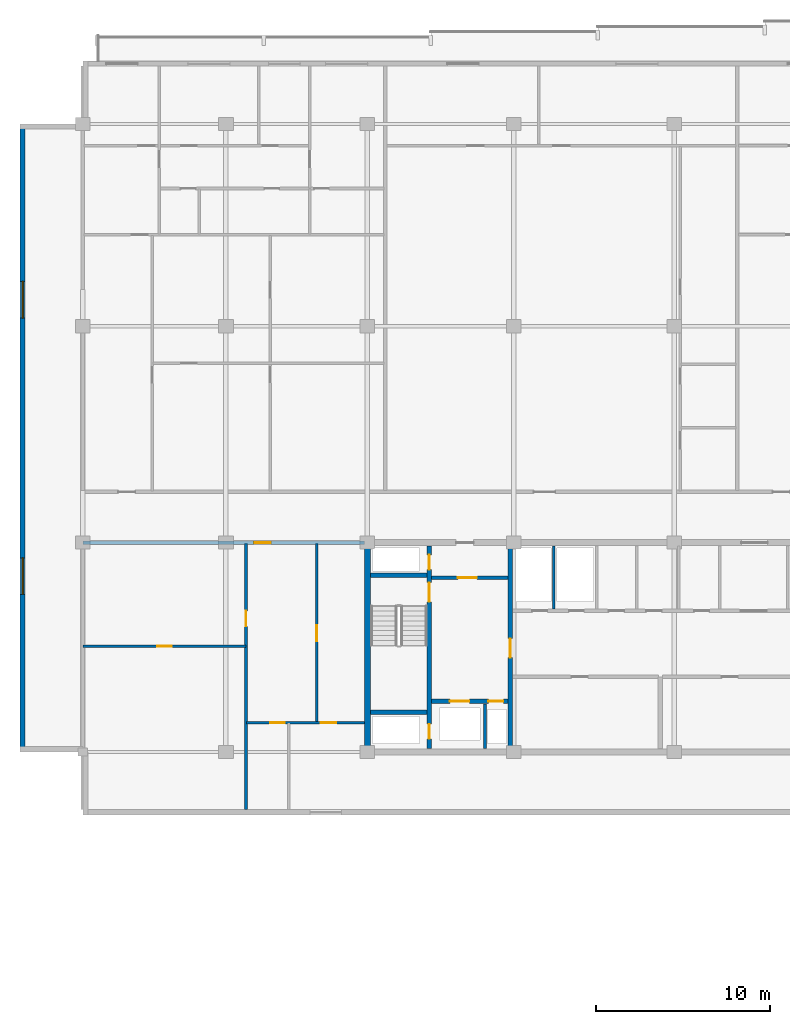
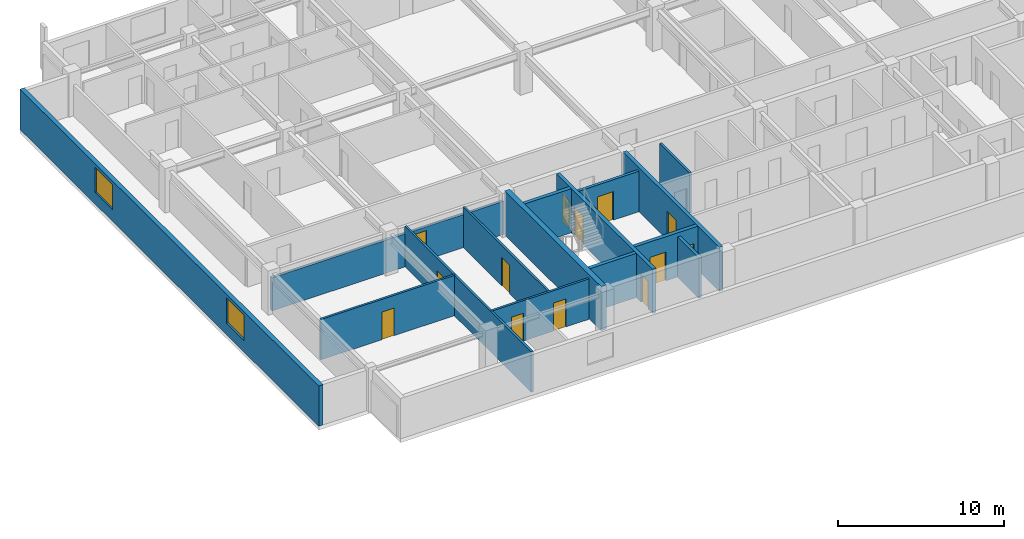
# One storey, part 3 of 11: 15 walls, 13 doors, 2 windows, 15 openings.
"""IFC4 building model written with IfcOpenShell, lengths in metres."""

from ifc_helpers import new_model, si_unit, direction, frame, frame_2d, origin, place, context, subcontext, project, spatial, rectangle, extrude, material, layer, layer_set, type_object, element, fill, save


model = new_model("IFC4")

# Units and contexts
model_context = context("Model", 3, precision=1e-05, world=origin(), true_north=direction((0.0, 1.0)))
body_context = subcontext(model_context, "Body", "Model", "MODEL_VIEW")
ifc_project = project(units=[si_unit("LENGTHUNIT", "METRE"), si_unit("AREAUNIT", "SQUARE_METRE"), si_unit("VOLUMEUNIT", "CUBIC_METRE"), si_unit("PLANEANGLEUNIT", "RADIAN"), si_unit("MASSUNIT", "GRAM", prefix="KILO")], contexts=[model_context])

# Site, building, storey
site_placement = place(None, origin())
site = spatial("IfcSite", under=ifc_project, at=site_placement, CompositionType="ELEMENT")
building_placement = place(site_placement, origin())
building = spatial("IfcBuilding", under=site, at=building_placement, Name="Korimba Cascade Residences", CompositionType="ELEMENT")
storey_placement = place(building_placement, frame((0.0, 0.0, 220.60009765625)))
storey = spatial("IfcBuildingStorey", under=building, at=storey_placement, Name="L64", CompositionType="ELEMENT", Elevation=220.60009765625)

# Wall, openings, windows
ifc_material_1 = material(Name="Precast concrete C40/50", Category="concrete")
ifc_layer_1 = layer(ifc_material_1, 0.300048828125)
ifc_layer_set_1 = layer_set([ifc_layer_1], Name="Precast concrete C40/50")
wall_type_1 = type_object("IfcWallType", Name="EW-STONE-300", PredefinedType="STANDARD", material=ifc_layer_set_1)
wall_1_placement = place(storey_placement, frame((56.35009765625, 91.199951171875, 0.0), z_axis=(0.0, 0.0, 1.0), x_axis=(0.0, -1.0, 0.0)))
wall_1 = element("IfcWall", 1, at=wall_1_placement, inside=storey, type_object=wall_type_1, Name="L64 T1 Perimeter Stone Wall E09", PredefinedType="STANDARD", context=body_context, shape_type="SweptSolid", body=[
    extrude(rectangle(XDim=36.0, YDim=0.300048828125, at=frame_2d((18.0, 0.0))), origin(), (0.0, 0.0, 1.0), 2.969970703125),
])
opening_1_placement = place(wall_1_placement, frame((9.030029296875, 0.0, 0.85009765625)))
opening_1 = element("IfcOpeningElement", 2, at=opening_1_placement, cuts=wall_1, Name="Opening W-03", PredefinedType="OPENING", context=body_context, shape_type="SweptSolid", body=[
    extrude(rectangle(XDim=2.10009765625, YDim=1.85009765625, at=frame_2d((1.050048828125, 0.925048828125))), frame((0.0, 0.16015625, 0.0), z_axis=(0.0, -1.0, 0.0), x_axis=(1.0, 0.0, 0.0)), (0.0, 0.0, 1.0), 0.320068359375),
])
opening_2_placement = place(wall_1_placement, frame((24.8701171875, 0.0, 0.85009765625)))
opening_2 = element("IfcOpeningElement", 3, at=opening_2_placement, cuts=wall_1, Name="Opening W-03", PredefinedType="OPENING", context=body_context, shape_type="SweptSolid", body=[
    extrude(rectangle(XDim=2.10009765625, YDim=1.85009765625, at=frame_2d((1.050048828125, 0.925048828125))), frame((0.0, 0.16015625, 0.0), z_axis=(0.0, -1.0, 0.0), x_axis=(1.0, 0.0, 0.0)), (0.0, 0.0, 1.0), 0.320068359375),
])
ifc_material_2 = material(Name="Double-Glazed Aluminium Window", Category="aluminium")
window_type = type_object("IfcWindowType", Name="WIN-CRN-2100", PartitioningType="DOUBLE_PANEL_HORIZONTAL", PredefinedType="WINDOW", material=ifc_material_2)
window_1_placement = place(opening_1_placement, origin())
window_1 = element("IfcWindow", 4, at=window_1_placement, inside=storey, type_object=window_type, Name="L64 T1 End View Window 9.1", OverallHeight=1.85009765625, OverallWidth=2.10009765625, PartitioningType="DOUBLE_PANEL_HORIZONTAL", PredefinedType="WINDOW", context=body_context, shape_type="SweptSolid", body=[
    extrude(rectangle(XDim=2.10009765625, YDim=1.85009765625, at=frame_2d((1.050048828125, 0.925048828125))), frame((0.0, 0.030029296875, 0.0), z_axis=(0.0, -1.0, 0.0), x_axis=(1.0, 0.0, 0.0)), (0.0, 0.0, 1.0), 0.06005859375),
])
fill(opening_1, window_1)
window_2_placement = place(opening_2_placement, origin())
window_2 = element("IfcWindow", 5, at=window_2_placement, inside=storey, type_object=window_type, Name="L64 T1 End View Window 9.2", OverallHeight=1.85009765625, OverallWidth=2.10009765625, PartitioningType="DOUBLE_PANEL_HORIZONTAL", PredefinedType="WINDOW", context=body_context, shape_type="SweptSolid", body=[
    extrude(rectangle(XDim=2.10009765625, YDim=1.85009765625, at=frame_2d((1.050048828125, 0.925048828125))), frame((0.0, 0.030029296875, 0.0), z_axis=(0.0, -1.0, 0.0), x_axis=(1.0, 0.0, 0.0)), (0.0, 0.0, 1.0), 0.06005859375),
])
fill(opening_2, window_2)

# Wall
ifc_material_3 = material(Name="Concrete C65/80", Category="concrete")
ifc_layer_2 = layer(ifc_material_3, 0.35009765625)
ifc_layer_set_2 = layer_set([ifc_layer_2], Name="Concrete C65/80")
wall_type_2 = type_object("IfcWallType", Name="WAL-CORE-350", PredefinedType="SHEAR", material=ifc_layer_set_2)
wall_2_placement = place(storey_placement, frame((76.125, 55.375, 0.0), z_axis=(0.0, 0.0, 1.0), x_axis=(0.0, 1.0, 0.0)))
element("IfcWall", 6, at=wall_2_placement, inside=storey, type_object=wall_type_2, Name="L64 Core Shear Wall CW-L64-T1-W", PredefinedType="SHEAR", context=body_context, shape_type="SweptSolid", body=[
    extrude(rectangle(XDim=11.64990234375, YDim=0.35009765625, at=frame_2d((5.824951171875, 0.0))), origin(), (0.0, 0.0, 1.0), 3.25),
])

# Wall, opening, door
ifc_layer_3 = layer(ifc_material_1, 0.199951171875)
ifc_layer_set_3 = layer_set([ifc_layer_3], Name="Precast concrete C40/50")
wall_type_3 = type_object("IfcWallType", Name="WAL-IT-200", PredefinedType="PARTITIONING", material=ifc_layer_set_3)
wall_3_placement = place(storey_placement, frame((59.800048828125, 67.199951171875, 0.0), z_axis=(0.0, 0.0, 1.0), x_axis=(1.0, 0.0, 0.0)))
wall_3 = element("IfcWall", 7, at=wall_3_placement, inside=storey, type_object=wall_type_3, Name="L64 Partition Wall WAL-L64-T1-FW-N", PredefinedType="PARTITIONING", context=body_context, shape_type="SweptSolid", body=[
    extrude(rectangle(XDim=16.14990234375, YDim=0.199951171875, at=frame_2d((8.074951171875, 0.0))), origin(), (0.0, 0.0, 1.0), 2.43310546875),
])
opening_3_placement = place(wall_3_placement, frame((9.823486328125, 0.0, 0.0)))
opening_3 = element("IfcOpeningElement", 8, at=opening_3_placement, cuts=wall_3, Name="Opening D-UN1", PredefinedType="OPENING", context=body_context, shape_type="SweptSolid", body=[
    extrude(rectangle(XDim=0.949951171875, YDim=2.14990234375, at=frame_2d((0.47509765625, 1.074951171875))), frame((0.0, 0.10986328125, 0.0), z_axis=(0.0, -1.0, 0.0), x_axis=(1.0, 0.0, 0.0)), (0.0, 0.0, 1.0), 0.219970703125),
])
ifc_material_4 = material(Name="Fire-Rated Hardwood Apartment Entrance Door", Category="wood")
door_type_1 = type_object("IfcDoorType", Name="DR-FD60-950", OperationType="NOTDEFINED", PredefinedType="DOOR", material=ifc_material_4)
door_1_placement = place(opening_3_placement, origin())
door_1 = element("IfcDoor", 9, at=door_1_placement, inside=storey, type_object=door_type_1, Name="L64-T1-FW Entrance Door", OperationType="SINGLE_SWING_RIGHT", OverallHeight=2.14990234375, OverallWidth=0.949951171875, PredefinedType="DOOR", context=body_context, shape_type="SweptSolid", body=[
    extrude(rectangle(XDim=0.949951171875, YDim=2.14990234375, at=frame_2d((0.47509765625, 1.074951171875))), frame((0.0, 0.02490234375, 0.0), z_axis=(0.0, -1.0, 0.0), x_axis=(1.0, 0.0, 0.0)), (0.0, 0.0, 1.0), 0.050048828125),
])
fill(opening_3, door_1)

# Wall
ifc_material_5 = material(Name="Insulated Acoustic Stud Partition", Category="gypsum")
ifc_layer_4 = layer(ifc_material_5, 0.14990234375)
ifc_layer_set_4 = layer_set([ifc_layer_4], Name="Insulated Acoustic Stud Partition")
wall_type_4 = type_object("IfcWallType", Name="WAL-PART-150", PredefinedType="PARTITIONING", material=ifc_layer_set_4)
wall_4_placement = place(storey_placement, frame((86.800048828125, 63.39990234375, 0.0), z_axis=(0.0, 0.0, 1.0), x_axis=(0.0, 1.0, 0.0)))
element("IfcWall", 10, at=wall_4_placement, inside=storey, type_object=wall_type_4, Name="L64 Partition Wall CW-L64-T1-ERDIV", PredefinedType="PARTITIONING", context=body_context, shape_type="SweptSolid", body=[
    extrude(rectangle(XDim=3.60009765625, YDim=0.14990234375, at=frame_2d((1.800048828125, 0.0))), origin(), (0.0, 0.0, 1.0), 2.969970703125),
])

# Wall, opening, door
wall_5_placement = place(storey_placement, frame((59.800048828125, 61.25, 0.0), z_axis=(0.0, 0.0, 1.0), x_axis=(1.0, 0.0, 0.0)))
wall_5 = element("IfcWall", 11, at=wall_5_placement, inside=storey, type_object=wall_type_4, Name="L64 Partition Wall WAL-L64-T1-FW-STH", PredefinedType="PARTITIONING", context=body_context, shape_type="SweptSolid", body=[
    extrude(rectangle(XDim=9.349853515625, YDim=0.14990234375, at=frame_2d((4.6748046875, 0.0))), origin(), (0.0, 0.0, 1.0), 2.969970703125),
])
opening_4_placement = place(wall_5_placement, frame((4.2548828125, 0.0, 0.0)))
opening_4 = element("IfcOpeningElement", 12, at=opening_4_placement, cuts=wall_5, Name="Opening D-BT1", PredefinedType="OPENING", context=body_context, shape_type="SweptSolid", body=[
    extrude(rectangle(XDim=0.840087890625, YDim=2.0400390625, at=frame_2d((0.419921875, 1.02001953125))), frame((0.0, 0.0849609375, 0.0), z_axis=(0.0, -1.0, 0.0), x_axis=(1.0, 0.0, 0.0)), (0.0, 0.0, 1.0), 0.169921875),
])
ifc_material_6 = material(Name="Moisture-Resistant Bathroom Timber Door", Category="wood")
door_type_2 = type_object("IfcDoorType", Name="DR-INT-850", OperationType="NOTDEFINED", PredefinedType="DOOR", material=ifc_material_6)
door_2_placement = place(opening_4_placement, origin())
door_2 = element("IfcDoor", 13, at=door_2_placement, inside=storey, type_object=door_type_2, Name="L64-T1-FW Dressing Store Door", OperationType="SINGLE_SWING_LEFT", OverallHeight=2.0400390625, OverallWidth=0.840087890625, PredefinedType="DOOR", context=body_context, shape_type="SweptSolid", body=[
    extrude(rectangle(XDim=0.840087890625, YDim=2.0400390625, at=frame_2d((0.419921875, 1.02001953125))), frame((0.0, 0.02490234375, 0.0), z_axis=(0.0, -1.0, 0.0), x_axis=(1.0, 0.0, 0.0)), (0.0, 0.0, 1.0), 0.050048828125),
])
fill(opening_4, door_2)

wall_6_placement = place(storey_placement, frame((69.14990234375, 51.89990234375, 0.0), z_axis=(0.0, 0.0, 1.0), x_axis=(0.0, 1.0, 0.0)))
wall_6 = element("IfcWall", 14, at=wall_6_placement, inside=storey, type_object=wall_type_4, Name="L64 Partition Wall WAL-L64-T1-FW-STV", PredefinedType="PARTITIONING", context=body_context, shape_type="SweptSolid", body=[
    extrude(rectangle(XDim=15.25, YDim=0.14990234375, at=frame_2d((7.625, 0.0))), origin(), (0.0, 0.0, 1.0), 2.969970703125),
])
opening_5_placement = place(wall_6_placement, frame((10.5, 0.0, 0.0)))
opening_5 = element("IfcOpeningElement", 15, at=opening_5_placement, cuts=wall_6, Name="Opening D-IN2", PredefinedType="OPENING", context=body_context, shape_type="SweptSolid", body=[
    extrude(rectangle(XDim=0.8798828125, YDim=2.06005859375, at=frame_2d((0.43994140625, 1.030029296875))), frame((0.0, 0.0849609375, 0.0), z_axis=(0.0, -1.0, 0.0), x_axis=(1.0, 0.0, 0.0)), (0.0, 0.0, 1.0), 0.169921875),
])
ifc_material_7 = material(Name="Acoustic Timber Bedroom Door", Category="wood")
door_type_3 = type_object("IfcDoorType", Name="DR-INT-880", OperationType="NOTDEFINED", PredefinedType="DOOR", material=ifc_material_7)
door_3_placement = place(opening_5_placement, origin())
door_3 = element("IfcDoor", 16, at=door_3_placement, inside=storey, type_object=door_type_3, Name="L64-T1-FW Study Door", OperationType="SINGLE_SWING_RIGHT", OverallHeight=2.06005859375, OverallWidth=0.8798828125, PredefinedType="DOOR", context=body_context, shape_type="SweptSolid", body=[
    extrude(rectangle(XDim=0.8798828125, YDim=2.06005859375, at=frame_2d((0.43994140625, 1.030029296875))), frame((0.0, 0.02490234375, 0.0), z_axis=(0.0, -1.0, 0.0), x_axis=(1.0, 0.0, 0.0)), (0.0, 0.0, 1.0), 0.050048828125),
])
fill(opening_5, door_3)

wall_7_placement = place(storey_placement, frame((73.199951171875, 56.8701171875, 0.0), z_axis=(0.0, 0.0, 1.0), x_axis=(0.0, 1.0, 0.0)))
wall_7 = element("IfcWall", 17, at=wall_7_placement, inside=storey, type_object=wall_type_4, Name="L64 Partition Wall WAL-L64-T1-FW-VN", PredefinedType="PARTITIONING", context=body_context, shape_type="SweptSolid", body=[
    extrude(rectangle(XDim=10.27978515625, YDim=0.14990234375, at=frame_2d((5.139892578125, 0.0))), origin(), (0.0, 0.0, 1.0), 2.969970703125),
])
opening_6_placement = place(wall_7_placement, frame((4.679931640625, 0.0, 0.0)))
opening_6 = element("IfcOpeningElement", 18, at=opening_6_placement, cuts=wall_7, Name="Opening D-IN1", PredefinedType="OPENING", context=body_context, shape_type="SweptSolid", body=[
    extrude(rectangle(XDim=0.919921875, YDim=2.080078125, at=frame_2d((0.4599609375, 1.0400390625))), frame((0.0, 0.0849609375, 0.0), z_axis=(0.0, -1.0, 0.0), x_axis=(1.0, 0.0, 0.0)), (0.0, 0.0, 1.0), 0.169921875),
])
ifc_material_8 = material(Name="Acoustic Timber Living Door", Category="wood")
door_type_4 = type_object("IfcDoorType", Name="DR-INT-920", OperationType="NOTDEFINED", PredefinedType="DOOR", material=ifc_material_8)
door_4_placement = place(opening_6_placement, origin())
door_4 = element("IfcDoor", 19, at=door_4_placement, inside=storey, type_object=door_type_4, Name="L64-T1-FW Living Door", OperationType="SINGLE_SWING_LEFT", OverallHeight=2.080078125, OverallWidth=0.919921875, PredefinedType="DOOR", context=body_context, shape_type="SweptSolid", body=[
    extrude(rectangle(XDim=0.919921875, YDim=2.080078125, at=frame_2d((0.4599609375, 1.0400390625))), frame((0.0, 0.02490234375, 0.0), z_axis=(0.0, -1.0, 0.0), x_axis=(1.0, 0.0, 0.0)), (0.0, 0.0, 1.0), 0.050048828125),
])
fill(opening_6, door_4)

# Wall, openings, doors
wall_8_placement = place(storey_placement, frame((69.169921875, 56.8701171875, 0.0), z_axis=(0.0, 0.0, 1.0), x_axis=(1.0, 0.0, 0.0)))
wall_8 = element("IfcWall", 20, at=wall_8_placement, inside=storey, type_object=wall_type_4, Name="L64 Partition Wall WAL-L64-T1-FW-H", PredefinedType="PARTITIONING", context=body_context, shape_type="SweptSolid", body=[
    extrude(rectangle(XDim=6.760009765625, YDim=0.14990234375, at=frame_2d((3.3798828125, 0.0))), origin(), (0.0, 0.0, 1.0), 2.969970703125),
])
opening_7_placement = place(wall_8_placement, frame((1.3623046875, 0.0, 0.0)))
opening_7 = element("IfcOpeningElement", 21, at=opening_7_placement, cuts=wall_8, Name="Opening D-BT1", PredefinedType="OPENING", context=body_context, shape_type="SweptSolid", body=[
    extrude(rectangle(XDim=0.840087890625, YDim=2.0400390625, at=frame_2d((0.419921875, 1.02001953125))), frame((0.0, 0.0849609375, 0.0), z_axis=(0.0, -1.0, 0.0), x_axis=(1.0, 0.0, 0.0)), (0.0, 0.0, 1.0), 0.169921875),
])
opening_8_placement = place(wall_8_placement, frame((4.276611328125, 0.0, 0.0)))
opening_8 = element("IfcOpeningElement", 22, at=opening_8_placement, cuts=wall_8, Name="Opening D-IN2", PredefinedType="OPENING", context=body_context, shape_type="SweptSolid", body=[
    extrude(rectangle(XDim=0.8798828125, YDim=2.06005859375, at=frame_2d((0.43994140625, 1.030029296875))), frame((0.0, 0.0849609375, 0.0), z_axis=(0.0, -1.0, 0.0), x_axis=(1.0, 0.0, 0.0)), (0.0, 0.0, 1.0), 0.169921875),
])
door_5_placement = place(opening_7_placement, origin())
door_5 = element("IfcDoor", 23, at=door_5_placement, inside=storey, type_object=door_type_2, Name="L64-T1-FW Bathroom Door", OperationType="SINGLE_SWING_RIGHT", OverallHeight=2.0400390625, OverallWidth=0.840087890625, PredefinedType="DOOR", context=body_context, shape_type="SweptSolid", body=[
    extrude(rectangle(XDim=0.840087890625, YDim=2.0400390625, at=frame_2d((0.419921875, 1.02001953125))), frame((0.0, 0.02490234375, 0.0), z_axis=(0.0, -1.0, 0.0), x_axis=(1.0, 0.0, 0.0)), (0.0, 0.0, 1.0), 0.050048828125),
])
fill(opening_7, door_5)
door_6_placement = place(opening_8_placement, origin())
door_6 = element("IfcDoor", 24, at=door_6_placement, inside=storey, type_object=door_type_3, Name="L64-T1-FW Bedroom Door", OperationType="SINGLE_SWING_LEFT", OverallHeight=2.06005859375, OverallWidth=0.8798828125, PredefinedType="DOOR", context=body_context, shape_type="SweptSolid", body=[
    extrude(rectangle(XDim=0.8798828125, YDim=2.06005859375, at=frame_2d((0.43994140625, 1.030029296875))), frame((0.0, 0.02490234375, 0.0), z_axis=(0.0, -1.0, 0.0), x_axis=(1.0, 0.0, 0.0)), (0.0, 0.0, 1.0), 0.050048828125),
])
fill(opening_8, door_6)

# Wall
ifc_material_9 = material(Name="Concrete C40/50", Category="concrete")
ifc_layer_5 = layer(ifc_material_9, 0.199951171875)
ifc_layer_set_5 = layer_set([ifc_layer_5], Name="Concrete C40/50")
wall_type_5 = type_object("IfcWallType", Name="WAL-PART-200", PredefinedType="PARTITIONING", material=ifc_layer_set_5)
wall_9_placement = place(storey_placement, frame((82.85009765625, 55.39990234375, 0.0), z_axis=(0.0, 0.0, 1.0), x_axis=(0.0, 1.0, 0.0)))
element("IfcWall", 25, at=wall_9_placement, inside=storey, type_object=wall_type_5, Name="L64 Partition Wall CW-L64-T1-FFLDIV", PredefinedType="PARTITIONING", context=body_context, shape_type="SweptSolid", body=[
    extrude(rectangle(XDim=2.56005859375, YDim=0.199951171875, at=frame_2d((1.280029296875, 0.0))), origin(), (0.0, 0.0, 1.0), 2.969970703125),
])

# Wall, opening, door
wall_10_placement = place(storey_placement, frame((79.7900390625, 65.179931640625, 0.0), z_axis=(0.0, 0.0, 1.0), x_axis=(1.0, 0.0, 0.0)))
wall_10 = element("IfcWall", 26, at=wall_10_placement, inside=storey, type_object=wall_type_5, Name="L64 Partition Wall CW-L64-T1-FFLN", PredefinedType="PARTITIONING", context=body_context, shape_type="SweptSolid", body=[
    extrude(rectangle(XDim=4.389892578125, YDim=0.199951171875, at=frame_2d((2.19482421875, 0.0))), origin(), (0.0, 0.0, 1.0), 2.969970703125),
])
opening_9_placement = place(wall_10_placement, frame((1.5, 0.0, 0.0)))
opening_9 = element("IfcOpeningElement", 27, at=opening_9_placement, cuts=wall_10, Name="Opening D-FD1", PredefinedType="OPENING", context=body_context, shape_type="SweptSolid", body=[
    extrude(rectangle(XDim=1.10009765625, YDim=2.10009765625, at=frame_2d((0.550048828125, 1.050048828125))), frame((0.0, 0.10986328125, 0.0), z_axis=(0.0, -1.0, 0.0), x_axis=(1.0, 0.0, 0.0)), (0.0, 0.0, 1.0), 0.219970703125),
])
ifc_material_10 = material(Name="Fire-Rated Steel Core Door", Category="steel")
door_type_5 = type_object("IfcDoorType", Name="DR-FD120-1100", OperationType="NOTDEFINED", PredefinedType="DOOR", material=ifc_material_10)
door_7_placement = place(opening_9_placement, origin())
door_7 = element("IfcDoor", 28, at=door_7_placement, inside=storey, type_object=door_type_5, Name="L64 West Firefighting Lobby Door", OperationType="SINGLE_SWING_RIGHT", OverallHeight=2.10009765625, OverallWidth=1.10009765625, PredefinedType="DOOR", context=body_context, shape_type="SweptSolid", body=[
    extrude(rectangle(XDim=1.10009765625, YDim=2.10009765625, at=frame_2d((0.550048828125, 1.050048828125))), frame((0.0, 0.02490234375, 0.0), z_axis=(0.0, -1.0, 0.0), x_axis=(1.0, 0.0, 0.0)), (0.0, 0.0, 1.0), 0.050048828125),
])
fill(opening_9, door_7)

# Wall, openings, doors
ifc_material_11 = material(Name="Concrete C50/60", Category="concrete")
ifc_layer_6 = layer(ifc_material_11, 0.25)
ifc_layer_set_6 = layer_set([ifc_layer_6], Name="Concrete C50/60")
wall_type_6 = type_object("IfcWallType", Name="WAL-SHAFT-250", PredefinedType="SHEAR", material=ifc_layer_set_6)
wall_11_placement = place(storey_placement, frame((79.6650390625, 55.39990234375, 0.0), z_axis=(0.0, 0.0, 1.0), x_axis=(0.0, 1.0, 0.0)))
wall_11 = element("IfcWall", 29, at=wall_11_placement, inside=storey, type_object=wall_type_6, Name="L64 Core Shear Wall CW-L64-T1-STW1E", PredefinedType="SHEAR", context=body_context, shape_type="SweptSolid", body=[
    extrude(rectangle(XDim=11.60009765625, YDim=0.25, at=frame_2d((5.800048828125, 0.0))), origin(), (0.0, 0.0, 1.0), 3.25),
])
opening_10_placement = place(wall_11_placement, frame((0.550048828125, 0.0, 0.0)))
opening_10 = element("IfcOpeningElement", 30, at=opening_10_placement, cuts=wall_11, Name="Opening D-RS1", PredefinedType="OPENING", context=body_context, shape_type="SweptSolid", body=[
    extrude(rectangle(XDim=0.85009765625, YDim=2.050048828125, at=frame_2d((0.425048828125, 1.02490234375))), frame((0.0, 0.135009765625, 0.0), z_axis=(0.0, -1.0, 0.0), x_axis=(1.0, 0.0, 0.0)), (0.0, 0.0, 1.0), 0.27001953125),
])
opening_11_placement = place(wall_11_placement, frame((8.39990234375, 0.0, 0.0)))
opening_11 = element("IfcOpeningElement", 31, at=opening_11_placement, cuts=wall_11, Name="Opening D-FD1", PredefinedType="OPENING", context=body_context, shape_type="SweptSolid", body=[
    extrude(rectangle(XDim=1.10009765625, YDim=2.10009765625, at=frame_2d((0.550048828125, 1.050048828125))), frame((0.0, 0.135009765625, 0.0), z_axis=(0.0, -1.0, 0.0), x_axis=(1.0, 0.0, 0.0)), (0.0, 0.0, 1.0), 0.27001953125),
])
opening_12_placement = place(wall_11_placement, frame((10.25, 0.0, 0.0)))
opening_12 = element("IfcOpeningElement", 32, at=opening_12_placement, cuts=wall_11, Name="Opening D-RS1", PredefinedType="OPENING", context=body_context, shape_type="SweptSolid", body=[
    extrude(rectangle(XDim=0.85009765625, YDim=2.050048828125, at=frame_2d((0.425048828125, 1.02490234375))), frame((0.0, 0.135009765625, 0.0), z_axis=(0.0, -1.0, 0.0), x_axis=(1.0, 0.0, 0.0)), (0.0, 0.0, 1.0), 0.27001953125),
])
door_8_placement = place(opening_11_placement, origin())
door_8 = element("IfcDoor", 33, at=door_8_placement, inside=storey, type_object=door_type_5, Name="L64 Fire Stair ST-W1 Door", OperationType="SINGLE_SWING_LEFT", OverallHeight=2.10009765625, OverallWidth=1.10009765625, PredefinedType="DOOR", context=body_context, shape_type="SweptSolid", body=[
    extrude(rectangle(XDim=1.10009765625, YDim=2.10009765625, at=frame_2d((0.550048828125, 1.050048828125))), frame((0.0, 0.02490234375, 0.0), z_axis=(0.0, -1.0, 0.0), x_axis=(1.0, 0.0, 0.0)), (0.0, 0.0, 1.0), 0.050048828125),
])
fill(opening_11, door_8)
ifc_material_12 = material(Name="Fire-Rated Steel Riser Access Door", Category="steel")
door_type_6 = type_object("IfcDoorType", Name="DR-FD60-850", OperationType="NOTDEFINED", PredefinedType="DOOR", material=ifc_material_12)
door_9_placement = place(opening_10_placement, origin())
door_9 = element("IfcDoor", 34, at=door_9_placement, inside=storey, type_object=door_type_6, Name="L64 Smoke Riser Access Door", OperationType="SINGLE_SWING_RIGHT", OverallHeight=2.050048828125, OverallWidth=0.85009765625, PredefinedType="DOOR", context=body_context, shape_type="SweptSolid", body=[
    extrude(rectangle(XDim=0.85009765625, YDim=2.050048828125, at=frame_2d((0.425048828125, 1.02490234375))), frame((0.0, 0.02490234375, 0.0), z_axis=(0.0, -1.0, 0.0), x_axis=(1.0, 0.0, 0.0)), (0.0, 0.0, 1.0), 0.050048828125),
])
fill(opening_10, door_9)
door_10_placement = place(opening_12_placement, origin())
door_10 = element("IfcDoor", 35, at=door_10_placement, inside=storey, type_object=door_type_6, Name="L64 Hydrant Riser Access Door", OperationType="SINGLE_SWING_RIGHT", OverallHeight=2.050048828125, OverallWidth=0.85009765625, PredefinedType="DOOR", context=body_context, shape_type="SweptSolid", body=[
    extrude(rectangle(XDim=0.85009765625, YDim=2.050048828125, at=frame_2d((0.425048828125, 1.02490234375))), frame((0.0, 0.02490234375, 0.0), z_axis=(0.0, -1.0, 0.0), x_axis=(1.0, 0.0, 0.0)), (0.0, 0.0, 1.0), 0.050048828125),
])
fill(opening_12, door_10)

# Walls
for number, where, z_axis, x_axis, name in (
    (36, (76.300048828125, 57.47509765625, 0.0), (0.0, 0.0, 1.0), (1.0, 0.0, 0.0), "L64 Core Shear Wall CW-L64-T1-STW1S"),
    (37, (76.300048828125, 65.324951171875, 0.0), (0.0, 0.0, 1.0), (1.0, 0.0, 0.0), "L64 Core Shear Wall CW-L64-T1-STW1N"),
):
    element("IfcWall", number, at=place(storey_placement, frame(where, z_axis=z_axis, x_axis=x_axis)), inside=storey, type_object=wall_type_6, Name=name, PredefinedType="SHEAR", context=body_context, shape_type="SweptSolid", body=[
        extrude(rectangle(XDim=3.239990234375, YDim=0.25, at=frame_2d((1.6201171875, 0.0))), origin(), (0.0, 0.0, 1.0), 3.25),
    ])

# Wall, openings, doors
wall_12_placement = place(storey_placement, frame((79.7900390625, 58.10009765625, 0.0), z_axis=(0.0, 0.0, 1.0), x_axis=(1.0, 0.0, 0.0)))
wall_12 = element("IfcWall", 38, at=wall_12_placement, inside=storey, type_object=wall_type_6, Name="L64 Core Shear Wall CW-L64-T1-FFLS", PredefinedType="SHEAR", context=body_context, shape_type="SweptSolid", body=[
    extrude(rectangle(XDim=4.389892578125, YDim=0.25, at=frame_2d((2.19482421875, 0.0))), origin(), (0.0, 0.0, 1.0), 3.25),
])
opening_13_placement = place(wall_12_placement, frame((1.050048828125, 0.0, 0.0)))
opening_13 = element("IfcOpeningElement", 39, at=opening_13_placement, cuts=wall_12, Name="Opening LD-01", PredefinedType="OPENING", context=body_context, shape_type="SweptSolid", body=[
    extrude(rectangle(XDim=1.1201171875, YDim=2.1201171875, at=frame_2d((0.56005859375, 1.06005859375))), frame((0.0, 0.135009765625, 0.0), z_axis=(0.0, -1.0, 0.0), x_axis=(1.0, 0.0, 0.0)), (0.0, 0.0, 1.0), 0.27001953125),
])
opening_14_placement = place(wall_12_placement, frame((3.260009765625, 0.0, 0.0)))
opening_14 = element("IfcOpeningElement", 40, at=opening_14_placement, cuts=wall_12, Name="Opening D-RS1", PredefinedType="OPENING", context=body_context, shape_type="SweptSolid", body=[
    extrude(rectangle(XDim=0.85009765625, YDim=2.050048828125, at=frame_2d((0.425048828125, 1.02490234375))), frame((0.0, 0.135009765625, 0.0), z_axis=(0.0, -1.0, 0.0), x_axis=(1.0, 0.0, 0.0)), (0.0, 0.0, 1.0), 0.27001953125),
])
door_11_placement = place(opening_14_placement, origin())
door_11 = element("IfcDoor", 41, at=door_11_placement, inside=storey, type_object=door_type_6, Name="L64 Pressurisation Riser Door", OperationType="SINGLE_SWING_LEFT", OverallHeight=2.050048828125, OverallWidth=0.85009765625, PredefinedType="DOOR", context=body_context, shape_type="SweptSolid", body=[
    extrude(rectangle(XDim=0.85009765625, YDim=2.050048828125, at=frame_2d((0.425048828125, 1.02490234375))), frame((0.0, 0.02490234375, 0.0), z_axis=(0.0, -1.0, 0.0), x_axis=(1.0, 0.0, 0.0)), (0.0, 0.0, 1.0), 0.050048828125),
])
fill(opening_14, door_11)
ifc_material_13 = material(Name="Stainless Steel Lift Landing Sliding Door", Category="steel")
door_type_7 = type_object("IfcDoorType", Name="DR-LIFT-1100", OperationType="NOTDEFINED", PredefinedType="DOOR", material=ifc_material_13)
door_12_placement = place(opening_13_placement, origin())
door_12 = element("IfcDoor", 42, at=door_12_placement, inside=storey, type_object=door_type_7, Name="L64 Firefighting Lift Landing Door FFL-W1", OperationType="SLIDING_TO_LEFT", OverallHeight=2.1201171875, OverallWidth=1.1201171875, PredefinedType="DOOR", context=body_context, shape_type="SweptSolid", body=[
    extrude(rectangle(XDim=1.1201171875, YDim=2.1201171875, at=frame_2d((0.56005859375, 1.06005859375))), frame((0.0, 0.02490234375, 0.0), z_axis=(0.0, -1.0, 0.0), x_axis=(1.0, 0.0, 0.0)), (0.0, 0.0, 1.0), 0.050048828125),
])
fill(opening_13, door_12)

# Wall, opening, door
wall_13_placement = place(storey_placement, frame((84.300048828125, 55.39990234375, 0.0), z_axis=(0.0, 0.0, 1.0), x_axis=(0.0, 1.0, 0.0)))
wall_13 = element("IfcWall", 43, at=wall_13_placement, inside=storey, type_object=wall_type_6, Name="L64 Core Shear Wall CW-L64-T1-FFLE", PredefinedType="SHEAR", context=body_context, shape_type="SweptSolid", body=[
    extrude(rectangle(XDim=11.60009765625, YDim=0.25, at=frame_2d((5.800048828125, 0.0))), origin(), (0.0, 0.0, 1.0), 3.25),
])
opening_15_placement = place(wall_13_placement, frame((5.199951171875, 0.0, 0.0)))
opening_15 = element("IfcOpeningElement", 44, at=opening_15_placement, cuts=wall_13, Name="Opening D-FD1", PredefinedType="OPENING", context=body_context, shape_type="SweptSolid", body=[
    extrude(rectangle(XDim=1.10009765625, YDim=2.10009765625, at=frame_2d((0.550048828125, 1.050048828125))), frame((0.0, 0.135009765625, 0.0), z_axis=(0.0, -1.0, 0.0), x_axis=(1.0, 0.0, 0.0)), (0.0, 0.0, 1.0), 0.27001953125),
])
door_13_placement = place(opening_15_placement, origin())
door_13 = element("IfcDoor", 45, at=door_13_placement, inside=storey, type_object=door_type_5, Name="L64 Firefighting Lobby to Lift Lobby Door", OperationType="SINGLE_SWING_LEFT", OverallHeight=2.10009765625, OverallWidth=1.10009765625, PredefinedType="DOOR", context=body_context, shape_type="SweptSolid", body=[
    extrude(rectangle(XDim=1.10009765625, YDim=2.10009765625, at=frame_2d((0.550048828125, 1.050048828125))), frame((0.0, 0.02490234375, 0.0), z_axis=(0.0, -1.0, 0.0), x_axis=(1.0, 0.0, 0.0)), (0.0, 0.0, 1.0), 0.050048828125),
])
fill(opening_15, door_13)

save(model, "model.ifc")
